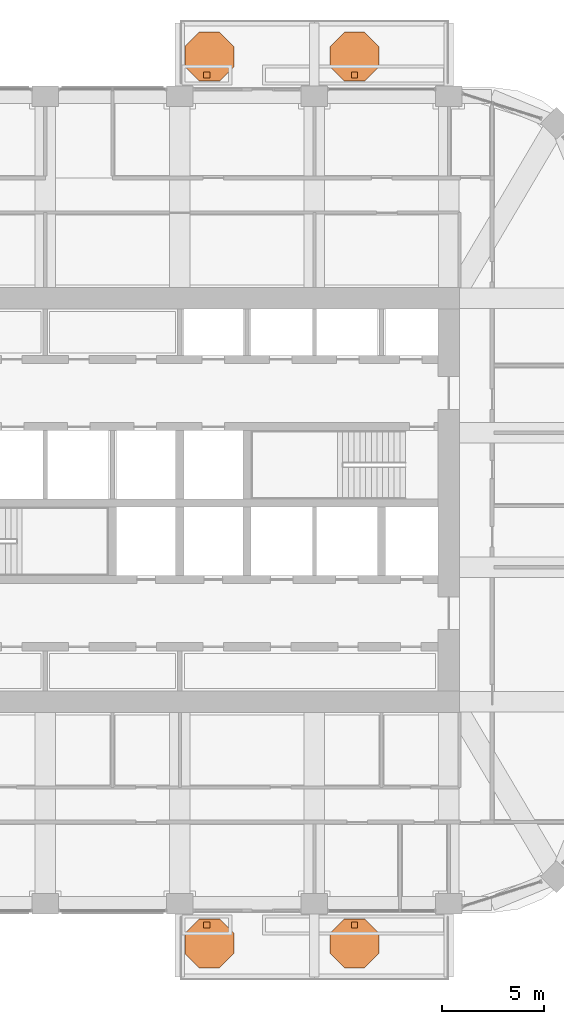
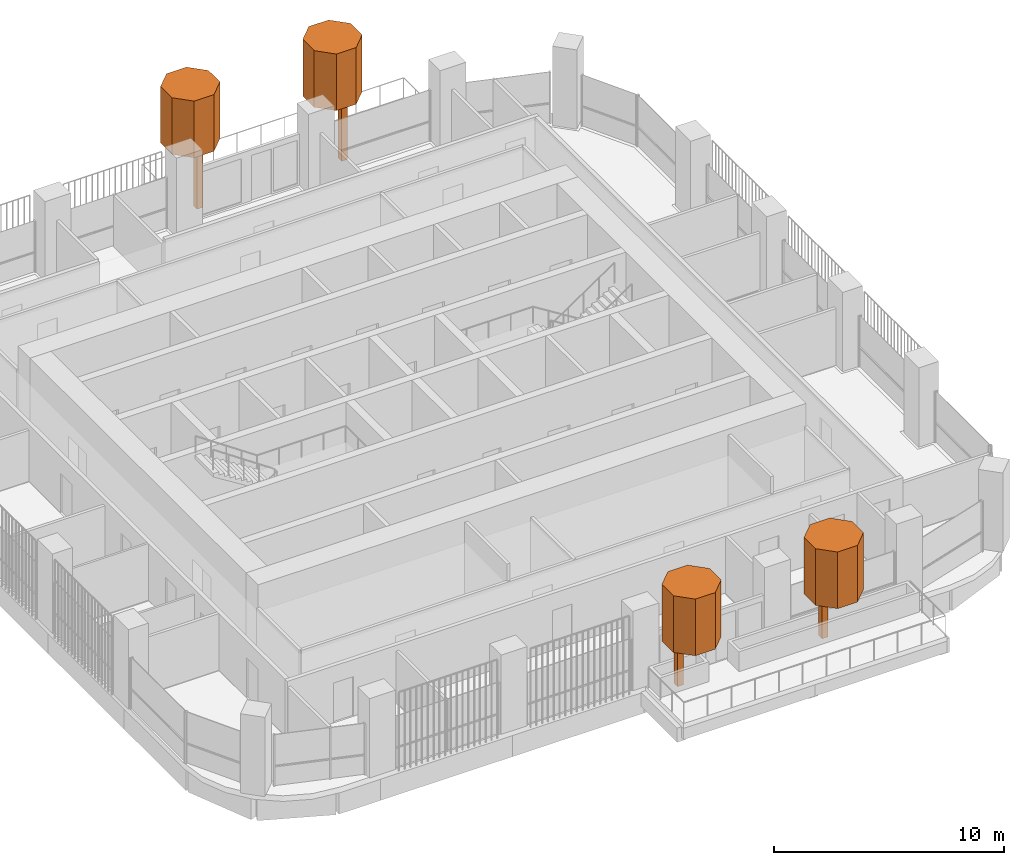
# One storey, part 20 of 20: 8 geographic elements.
"""IFC4 building model written with IfcOpenShell, lengths in metres."""

from ifc_helpers import new_model, si_unit, direction, frame, origin, origin_2d, place, context, subcontext, project, spatial, polyline, rectangle, outline, extrude, material, type_object, element, save


model = new_model("IFC4")

# Units and contexts
model_context = context("Model", 3, precision=1e-05, world=origin(), true_north=direction((0.0, 1.0)))
body_context = subcontext(model_context, "Body", "Model", "MODEL_VIEW")
ifc_project = project(units=[si_unit("LENGTHUNIT", "METRE"), si_unit("AREAUNIT", "SQUARE_METRE"), si_unit("VOLUMEUNIT", "CUBIC_METRE"), si_unit("PLANEANGLEUNIT", "RADIAN"), si_unit("MASSUNIT", "GRAM", prefix="KILO")], contexts=[model_context])

# Site, building, storey
site_placement = place(None, origin())
site = spatial("IfcSite", under=ifc_project, at=site_placement, CompositionType="ELEMENT")
building_placement = place(site_placement, origin())
building = spatial("IfcBuilding", under=site, at=building_placement, Name="Cobogo Forest Laboratory Tower", CompositionType="ELEMENT")
storey_placement = place(building_placement, frame((0.0, 0.0, 233.39990234375)))
storey = spatial("IfcBuildingStorey", under=building, at=storey_placement, Name="L53", CompositionType="ELEMENT", Elevation=233.39990234375)

# Geographic elements
ifc_material = material(Name="Planting", Category="plant")
geographic_element_type_1 = type_object("IfcGeographicElementType", Name="Tree trunk 300", PredefinedType="USERDEFINED", material=ifc_material)
for number, where, z_axis, x_axis, name in (
    (1, (27.72509765625, 2.25, 0.000244140625), (0.0, 0.0, 1.0), (1.0, 0.0, 0.0), "Tree trunk BAL-S1-PL1 L53"),
    (2, (34.97509765625, 2.25, 0.000244140625), (0.0, 0.0, 1.0), (1.0, 0.0, 0.0), "Tree trunk BAL-S1-PL2 L53"),
    (3, (27.72509765625, 43.949951171875, 0.000244140625), (0.0, 0.0, 1.0), (1.0, 0.0, 0.0), "Tree trunk BAL-N1-PL1 L53"),
    (4, (34.97509765625, 43.949951171875, 0.000244140625), (0.0, 0.0, 1.0), (1.0, 0.0, 0.0), "Tree trunk BAL-N1-PL2 L53"),
):
    element("IfcGeographicElement", number, at=place(storey_placement, frame(where, z_axis=z_axis, x_axis=x_axis)), inside=storey, type_object=geographic_element_type_1, Name=name, ObjectType="TREE TRUNK", PredefinedType="USERDEFINED", context=body_context, shape_type="SweptSolid", body=[
        extrude(rectangle(XDim=0.300048828125, YDim=0.300048828125, at=origin_2d()), origin(), (0.0, 0.0, 1.0), 2.89990234375),
    ])
geographic_element_type_2 = type_object("IfcGeographicElementType", Name="Tree, holm oak 5 m", PredefinedType="USERDEFINED", material=ifc_material)
geographic_element_1_placement = place(storey_placement, frame((0.0, 0.0, 2.900146484375)))
element("IfcGeographicElement", 5, at=geographic_element_1_placement, inside=storey, type_object=geographic_element_type_2, Name="Holm tree BAL-S1-PL1 L53", ObjectType="TREE", PredefinedType="USERDEFINED", context=body_context, shape_type="SweptSolid", body=[
    extrude(outline(polyline([(29.050048828125, 0.85302734375), (29.050048828125, 1.84716796875), (28.34716796875, 2.550048828125), (27.35302734375, 2.550048828125), (26.64990234375, 1.84716796875), (26.64990234375, 0.85302734375), (27.35302734375, 0.14990234375), (28.34716796875, 0.14990234375), (29.050048828125, 0.85302734375)])), origin(), (0.0, 0.0, 1.0), 3.0),
])
geographic_element_2_placement = place(storey_placement, frame((0.0, 0.0, 2.900146484375)))
element("IfcGeographicElement", 6, at=geographic_element_2_placement, inside=storey, type_object=geographic_element_type_2, Name="Holm tree BAL-S1-PL2 L53", ObjectType="TREE", PredefinedType="USERDEFINED", context=body_context, shape_type="SweptSolid", body=[
    extrude(outline(polyline([(36.175048828125, 0.85302734375), (36.175048828125, 1.84716796875), (35.47216796875, 2.550048828125), (34.47802734375, 2.550048828125), (33.77490234375, 1.84716796875), (33.77490234375, 0.85302734375), (34.47802734375, 0.14990234375), (35.47216796875, 0.14990234375), (36.175048828125, 0.85302734375)])), origin(), (0.0, 0.0, 1.0), 3.0),
])
geographic_element_3_placement = place(storey_placement, frame((0.0, 0.0, 2.900146484375)))
element("IfcGeographicElement", 7, at=geographic_element_3_placement, inside=storey, type_object=geographic_element_type_2, Name="Holm tree BAL-N1-PL1 L53", ObjectType="TREE", PredefinedType="USERDEFINED", context=body_context, shape_type="SweptSolid", body=[
    extrude(outline(polyline([(29.050048828125, 44.35302734375), (29.050048828125, 45.34716796875), (28.34716796875, 46.050048828125), (27.35302734375, 46.050048828125), (26.64990234375, 45.34716796875), (26.64990234375, 44.35302734375), (27.35302734375, 43.64990234375), (28.34716796875, 43.64990234375), (29.050048828125, 44.35302734375)])), origin(), (0.0, 0.0, 1.0), 3.0),
])
geographic_element_4_placement = place(storey_placement, frame((0.0, 0.0, 2.900146484375)))
element("IfcGeographicElement", 8, at=geographic_element_4_placement, inside=storey, type_object=geographic_element_type_2, Name="Holm tree BAL-N1-PL2 L53", ObjectType="TREE", PredefinedType="USERDEFINED", context=body_context, shape_type="SweptSolid", body=[
    extrude(outline(polyline([(36.175048828125, 44.35302734375), (36.175048828125, 45.34716796875), (35.47216796875, 46.050048828125), (34.47802734375, 46.050048828125), (33.77490234375, 45.34716796875), (33.77490234375, 44.35302734375), (34.47802734375, 43.64990234375), (35.47216796875, 43.64990234375), (36.175048828125, 44.35302734375)])), origin(), (0.0, 0.0, 1.0), 3.0),
])

save(model, "model.ifc")
